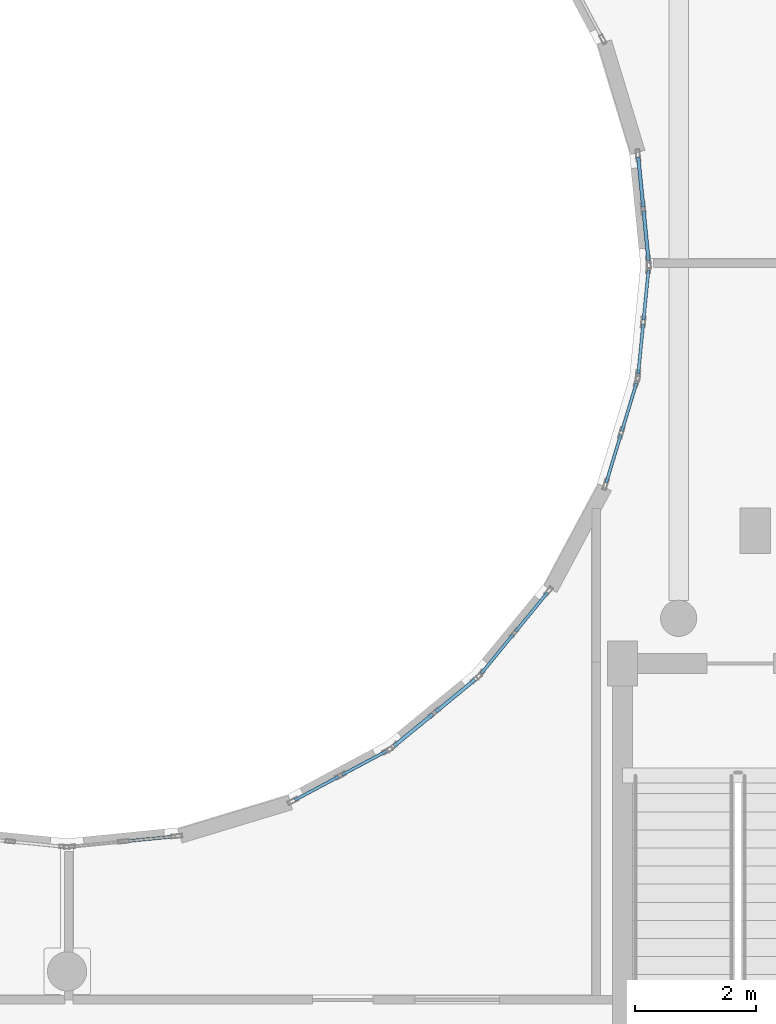
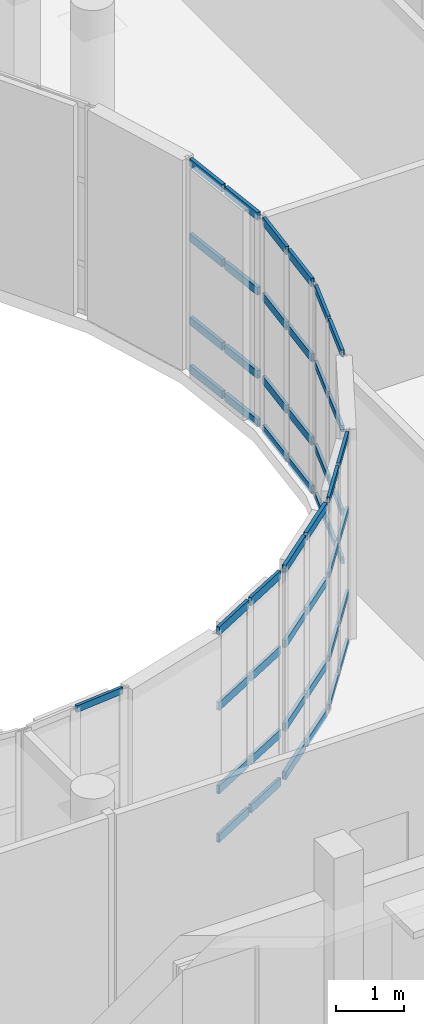
# One storey, part 57 of 105: 49 members, 7 elements without a shape of their own.
"""IFC4 building model written with IfcOpenShell, lengths in metres."""

from ifc_helpers import new_model, si_unit, direction, frame, origin, origin_2d, place, context, subcontext, project, spatial, hollow_rectangle, extrude, material, layer, layer_set, material_profile, profile_set, type_object, element, aggregate, save


model = new_model("IFC4")

# Units and contexts
model_context = context("Model", 3, precision=1e-05, world=origin(), true_north=direction((0.0, 1.0)))
body_context = subcontext(model_context, "Body", "Model", "MODEL_VIEW")
ifc_project = project(units=[si_unit("LENGTHUNIT", "METRE"), si_unit("AREAUNIT", "SQUARE_METRE"), si_unit("VOLUMEUNIT", "CUBIC_METRE"), si_unit("PLANEANGLEUNIT", "RADIAN"), si_unit("MASSUNIT", "GRAM", prefix="KILO")], contexts=[model_context])

# Site, building, storey
site_placement = place(None, origin())
site = spatial("IfcSite", under=ifc_project, at=site_placement, CompositionType="ELEMENT")
building_placement = place(site_placement, origin())
building = spatial("IfcBuilding", under=site, at=building_placement, Name="Kelanivale Promenade Academy", CompositionType="ELEMENT")
storey_placement = place(building_placement, frame((0.0, 0.0, 4.199951171875)))
storey = spatial("IfcBuildingStorey", under=building, at=storey_placement, Name="L01", CompositionType="ELEMENT", Elevation=4.199951171875)

# Curtain wall, members
ifc_material_1 = material(Name="Bronze anodised aluminium and solar-control low-E glass", Category="aluminium")
ifc_layer_1 = layer(ifc_material_1, 0.169921875)
ifc_layer_set_1 = layer_set([ifc_layer_1], Name="Bronze anodised aluminium and solar-control low-E glass")
curtain_wall_type_1 = type_object("IfcCurtainWallType", Name="CW-01 Curtain Wall 1350mm Module", PredefinedType="USERDEFINED", material=ifc_layer_set_1)
curtain_wall_1_placement = place(storey_placement, origin())
curtain_wall_1 = element("IfcCurtainWall", 1, at=curtain_wall_1_placement, inside=storey, type_object=curtain_wall_type_1, Name="L01 courtyard curtain wall CW-01", ObjectType="UNITISED GLAZING", PredefinedType="USERDEFINED")
ifc_material_2 = material(Name="Bronze anodised aluminium EN AW-6063 T6", Category="aluminium")
ifc_material_profile_1 = material_profile(ifc_material_2, hollow_rectangle(XDim=0.050048828125, YDim=0.10009765625, WallThickness=0.0029296875, at=origin_2d()), Name="ALU 50x100x3.0")
ifc_profile_set_1 = profile_set([ifc_material_profile_1], Name="Bronze anodised aluminium EN AW-6063 T6")
member_type_1 = type_object("IfcMemberType", Name="CWT-01 ALU 50x100x3.0", PredefinedType="USERDEFINED", material=ifc_profile_set_1)
member_1_placement = place(storey_placement, frame((105.6640625, 50.039306640625, 0.025146484375), z_axis=(0.633939444819, 0.77338268684, 0.0), x_axis=(-0.77338268684, 0.633939444819, 0.0)))
member_1 = element("IfcMember", 2, at=member_1_placement, type_object=member_type_1, Name="CW-01 transom 1.1", ObjectType="TRANSOM", PredefinedType="USERDEFINED", context=body_context, shape_type="SweptSolid", body=[
    extrude(hollow_rectangle(XDim=0.050048828125, YDim=0.10009765625, WallThickness=0.0029296875, at=origin_2d()), origin(), (0.0, 0.0, 1.0), 0.83349609375),
])
member_2_placement = place(storey_placement, frame((105.6640625, 50.039306640625, 0.900146484375), z_axis=(0.633939444819, 0.77338268684, 0.0), x_axis=(-0.77338268684, 0.633939444819, 0.0)))
member_2 = element("IfcMember", 3, at=member_2_placement, type_object=member_type_1, Name="CW-01 transom 1.2", ObjectType="TRANSOM", PredefinedType="USERDEFINED", context=body_context, shape_type="SweptSolid", body=[
    extrude(hollow_rectangle(XDim=0.050048828125, YDim=0.10009765625, WallThickness=0.0029296875, at=origin_2d()), origin(), (0.0, 0.0, 1.0), 0.83349609375),
])
member_3_placement = place(storey_placement, frame((105.6640625, 50.039306640625, 2.400146484375), z_axis=(0.633939444819, 0.77338268684, 0.0), x_axis=(-0.77338268684, 0.633939444819, 0.0)))
member_3 = element("IfcMember", 4, at=member_3_placement, type_object=member_type_1, Name="CW-01 transom 1.3", ObjectType="TRANSOM", PredefinedType="USERDEFINED", context=body_context, shape_type="SweptSolid", body=[
    extrude(hollow_rectangle(XDim=0.050048828125, YDim=0.10009765625, WallThickness=0.0029296875, at=origin_2d()), origin(), (0.0, 0.0, 1.0), 0.83349609375),
])
member_4_placement = place(storey_placement, frame((105.6640625, 50.039306640625, 3.755126953125), z_axis=(0.633939444819, 0.77338268684, 0.0), x_axis=(-0.77338268684, 0.633939444819, 0.0)))
member_4 = element("IfcMember", 5, at=member_4_placement, type_object=member_type_1, Name="CW-01 transom 1.4", ObjectType="TRANSOM", PredefinedType="USERDEFINED", context=body_context, shape_type="SweptSolid", body=[
    extrude(hollow_rectangle(XDim=0.050048828125, YDim=0.10009765625, WallThickness=0.0029296875, at=origin_2d()), origin(), (0.0, 0.0, 1.0), 0.83349609375),
])
member_5_placement = place(storey_placement, frame((106.23046875, 50.730224609375, 0.025146484375), z_axis=(0.634258248108, 0.773121254854, 0.0), x_axis=(-0.773121254854, 0.634258248108, 0.0)))
member_5 = element("IfcMember", 6, at=member_5_placement, type_object=member_type_1, Name="CW-01 transom 2.1", ObjectType="TRANSOM", PredefinedType="USERDEFINED", context=body_context, shape_type="SweptSolid", body=[
    extrude(hollow_rectangle(XDim=0.050048828125, YDim=0.10009765625, WallThickness=0.0029296875, at=origin_2d()), origin(), (0.0, 0.0, 1.0), 0.833251953125),
])
member_6_placement = place(storey_placement, frame((106.23046875, 50.730224609375, 0.900146484375), z_axis=(0.634258248108, 0.773121254854, 0.0), x_axis=(-0.773121254854, 0.634258248108, 0.0)))
member_6 = element("IfcMember", 7, at=member_6_placement, type_object=member_type_1, Name="CW-01 transom 2.2", ObjectType="TRANSOM", PredefinedType="USERDEFINED", context=body_context, shape_type="SweptSolid", body=[
    extrude(hollow_rectangle(XDim=0.050048828125, YDim=0.10009765625, WallThickness=0.0029296875, at=origin_2d()), origin(), (0.0, 0.0, 1.0), 0.833251953125),
])
member_7_placement = place(storey_placement, frame((106.23046875, 50.730224609375, 2.400146484375), z_axis=(0.634258248108, 0.773121254854, 0.0), x_axis=(-0.773121254854, 0.634258248108, 0.0)))
member_7 = element("IfcMember", 8, at=member_7_placement, type_object=member_type_1, Name="CW-01 transom 2.3", ObjectType="TRANSOM", PredefinedType="USERDEFINED", context=body_context, shape_type="SweptSolid", body=[
    extrude(hollow_rectangle(XDim=0.050048828125, YDim=0.10009765625, WallThickness=0.0029296875, at=origin_2d()), origin(), (0.0, 0.0, 1.0), 0.833251953125),
])
member_8_placement = place(storey_placement, frame((106.23046875, 50.730224609375, 3.755126953125), z_axis=(0.634258248108, 0.773121254854, 0.0), x_axis=(-0.773121254854, 0.634258248108, 0.0)))
member_8 = element("IfcMember", 9, at=member_8_placement, type_object=member_type_1, Name="CW-01 transom 2.4", ObjectType="TRANSOM", PredefinedType="USERDEFINED", context=body_context, shape_type="SweptSolid", body=[
    extrude(hollow_rectangle(XDim=0.050048828125, YDim=0.10009765625, WallThickness=0.0029296875, at=origin_2d()), origin(), (0.0, 0.0, 1.0), 0.833251953125),
])
aggregate(curtain_wall_1, [member_1, member_2, member_3, member_4, member_5, member_6, member_7, member_8])

# Curtain wall, member
ifc_layer_2 = layer(ifc_material_1, 0.169921875)
ifc_layer_set_2 = layer_set([ifc_layer_2], Name="Bronze anodised aluminium and solar-control low-E glass")
curtain_wall_type_2 = type_object("IfcCurtainWallType", Name="CW-22 Curtain Wall 1800mm Module", PredefinedType="USERDEFINED", material=ifc_layer_set_2)
curtain_wall_2_placement = place(storey_placement, origin())
curtain_wall_2 = element("IfcCurtainWall", 10, at=curtain_wall_2_placement, inside=storey, type_object=curtain_wall_type_2, Name="L01 courtyard curtain wall CW-22", ObjectType="COURTYARD SCREEN GLAZING", PredefinedType="USERDEFINED")
ifc_material_profile_2 = material_profile(ifc_material_2, hollow_rectangle(XDim=0.050048828125, YDim=0.1201171875, WallThickness=0.0029296875, at=origin_2d()), Name="ALU 50x120x3.0")
ifc_profile_set_2 = profile_set([ifc_material_profile_2], Name="Bronze anodised aluminium EN AW-6063 T6")
member_type_2 = type_object("IfcMemberType", Name="CWT-02 ALU 50x120x3.0", PredefinedType="USERDEFINED", material=ifc_profile_set_2)
member_9_placement = place(storey_placement, frame((99.762939453125, 47.2548828125, 3.755126953125), z_axis=(0.99511519259, 0.098720582839, 0.0), x_axis=(-0.098720582839, 0.99511519259, 0.0)))
member_9 = element("IfcMember", 11, at=member_9_placement, type_object=member_type_2, Name="CW-22 transom 2.4", ObjectType="TRANSOM", PredefinedType="USERDEFINED", context=body_context, shape_type="SweptSolid", body=[
    extrude(hollow_rectangle(XDim=0.050048828125, YDim=0.1201171875, WallThickness=0.0029296875, at=origin_2d()), origin(), (0.0, 0.0, 1.0), 0.83349609375),
])
aggregate(curtain_wall_2, [member_9])

# Curtain wall, members
ifc_layer_3 = layer(ifc_material_1, 0.179931640625)
ifc_layer_set_3 = layer_set([ifc_layer_3], Name="Bronze anodised aluminium and solar-control low-E glass")
curtain_wall_type_3 = type_object("IfcCurtainWallType", Name="CW-02 Curtain Wall 1500mm Module", PredefinedType="USERDEFINED", material=ifc_layer_set_3)
curtain_wall_3_placement = place(storey_placement, origin())
curtain_wall_3 = element("IfcCurtainWall", 12, at=curtain_wall_3_placement, inside=storey, type_object=curtain_wall_type_3, Name="L01 courtyard curtain wall CW-02", ObjectType="UNITISED GLAZING", PredefinedType="USERDEFINED")
member_10_placement = place(storey_placement, frame((107.732421875, 53.1953125, 0.025146484375), z_axis=(0.290113019071, 0.956992390861, 0.0), x_axis=(-0.956992390861, 0.290113019071, 0.0)))
member_10 = element("IfcMember", 13, at=member_10_placement, type_object=member_type_2, Name="CW-02 transom 1.1", ObjectType="TRANSOM", PredefinedType="USERDEFINED", context=body_context, shape_type="SweptSolid", body=[
    extrude(hollow_rectangle(XDim=0.050048828125, YDim=0.1201171875, WallThickness=0.0029296875, at=origin_2d()), origin(), (0.0, 0.0, 1.0), 0.833984375),
])
member_11_placement = place(storey_placement, frame((107.732421875, 53.1953125, 0.900146484375), z_axis=(0.290113019071, 0.956992390861, 0.0), x_axis=(-0.956992390861, 0.290113019071, 0.0)))
member_11 = element("IfcMember", 14, at=member_11_placement, type_object=member_type_2, Name="CW-02 transom 1.2", ObjectType="TRANSOM", PredefinedType="USERDEFINED", context=body_context, shape_type="SweptSolid", body=[
    extrude(hollow_rectangle(XDim=0.050048828125, YDim=0.1201171875, WallThickness=0.0029296875, at=origin_2d()), origin(), (0.0, 0.0, 1.0), 0.833984375),
])
member_12_placement = place(storey_placement, frame((107.732421875, 53.1953125, 2.400146484375), z_axis=(0.290113019071, 0.956992390861, 0.0), x_axis=(-0.956992390861, 0.290113019071, 0.0)))
member_12 = element("IfcMember", 15, at=member_12_placement, type_object=member_type_2, Name="CW-02 transom 1.3", ObjectType="TRANSOM", PredefinedType="USERDEFINED", context=body_context, shape_type="SweptSolid", body=[
    extrude(hollow_rectangle(XDim=0.050048828125, YDim=0.1201171875, WallThickness=0.0029296875, at=origin_2d()), origin(), (0.0, 0.0, 1.0), 0.833984375),
])
member_13_placement = place(storey_placement, frame((107.732421875, 53.1953125, 3.755126953125), z_axis=(0.290113019071, 0.956992390861, 0.0), x_axis=(-0.956992390861, 0.290113019071, 0.0)))
member_13 = element("IfcMember", 16, at=member_13_placement, type_object=member_type_2, Name="CW-02 transom 1.4", ObjectType="TRANSOM", PredefinedType="USERDEFINED", context=body_context, shape_type="SweptSolid", body=[
    extrude(hollow_rectangle(XDim=0.050048828125, YDim=0.1201171875, WallThickness=0.0029296875, at=origin_2d()), origin(), (0.0, 0.0, 1.0), 0.833984375),
])
member_14_placement = place(storey_placement, frame((107.99169921875, 54.05078125, 0.025146484375), z_axis=(0.2901943181, 0.956967741223, 0.0), x_axis=(-0.956967741223, 0.2901943181, 0.0)))
member_14 = element("IfcMember", 17, at=member_14_placement, type_object=member_type_2, Name="CW-02 transom 2.1", ObjectType="TRANSOM", PredefinedType="USERDEFINED", context=body_context, shape_type="SweptSolid", body=[
    extrude(hollow_rectangle(XDim=0.050048828125, YDim=0.1201171875, WallThickness=0.0029296875, at=origin_2d()), origin(), (0.0, 0.0, 1.0), 0.833740234375),
])
member_15_placement = place(storey_placement, frame((107.99169921875, 54.05078125, 0.900146484375), z_axis=(0.2901943181, 0.956967741223, 0.0), x_axis=(-0.956967741223, 0.2901943181, 0.0)))
member_15 = element("IfcMember", 18, at=member_15_placement, type_object=member_type_2, Name="CW-02 transom 2.2", ObjectType="TRANSOM", PredefinedType="USERDEFINED", context=body_context, shape_type="SweptSolid", body=[
    extrude(hollow_rectangle(XDim=0.050048828125, YDim=0.1201171875, WallThickness=0.0029296875, at=origin_2d()), origin(), (0.0, 0.0, 1.0), 0.833740234375),
])
member_16_placement = place(storey_placement, frame((107.99169921875, 54.05078125, 2.400146484375), z_axis=(0.2901943181, 0.956967741223, 0.0), x_axis=(-0.956967741223, 0.2901943181, 0.0)))
member_16 = element("IfcMember", 19, at=member_16_placement, type_object=member_type_2, Name="CW-02 transom 2.3", ObjectType="TRANSOM", PredefinedType="USERDEFINED", context=body_context, shape_type="SweptSolid", body=[
    extrude(hollow_rectangle(XDim=0.050048828125, YDim=0.1201171875, WallThickness=0.0029296875, at=origin_2d()), origin(), (0.0, 0.0, 1.0), 0.833740234375),
])
member_17_placement = place(storey_placement, frame((107.99169921875, 54.05078125, 3.755126953125), z_axis=(0.2901943181, 0.956967741223, 0.0), x_axis=(-0.956967741223, 0.2901943181, 0.0)))
member_17 = element("IfcMember", 20, at=member_17_placement, type_object=member_type_2, Name="CW-02 transom 2.4", ObjectType="TRANSOM", PredefinedType="USERDEFINED", context=body_context, shape_type="SweptSolid", body=[
    extrude(hollow_rectangle(XDim=0.050048828125, YDim=0.1201171875, WallThickness=0.0029296875, at=origin_2d()), origin(), (0.0, 0.0, 1.0), 0.833740234375),
])
aggregate(curtain_wall_3, [member_10, member_11, member_12, member_13, member_14, member_15, member_16, member_17])

ifc_layer_4 = layer(ifc_material_1, 0.179931640625)
ifc_layer_set_4 = layer_set([ifc_layer_4], Name="Bronze anodised aluminium and solar-control low-E glass")
curtain_wall_type_4 = type_object("IfcCurtainWallType", Name="CW-23 Curtain Wall 1950mm Module", PredefinedType="USERDEFINED", material=ifc_layer_set_4)
curtain_wall_4_placement = place(storey_placement, origin())
curtain_wall_4 = element("IfcCurtainWall", 21, at=curtain_wall_4_placement, inside=storey, type_object=curtain_wall_type_4, Name="L01 courtyard curtain wall CW-23", ObjectType="COURTYARD SCREEN GLAZING", PredefinedType="USERDEFINED")
ifc_material_profile_3 = material_profile(ifc_material_2, hollow_rectangle(XDim=0.050048828125, YDim=0.14990234375, WallThickness=0.00341796875, at=origin_2d()), Name="ALU 50x150x3.5")
ifc_profile_set_3 = profile_set([ifc_material_profile_3], Name="Bronze anodised aluminium EN AW-6063 T6")
member_type_3 = type_object("IfcMemberType", Name="CWT-03 ALU 50x150x3.5", PredefinedType="USERDEFINED", material=ifc_profile_set_3)
member_18_placement = place(storey_placement, frame((102.5712890625, 47.937744140625, 0.025146484375), z_axis=(0.882050208669, 0.471155419567, 0.0), x_axis=(-0.471155419567, 0.882050208669, 0.0)))
member_18 = element("IfcMember", 22, at=member_18_placement, type_object=member_type_3, Name="CW-23 transom 1.1", ObjectType="TRANSOM", PredefinedType="USERDEFINED", context=body_context, shape_type="SweptSolid", body=[
    extrude(hollow_rectangle(XDim=0.050048828125, YDim=0.14990234375, WallThickness=0.00341796875, at=origin_2d()), origin(), (0.0, 0.0, 1.0), 0.826416015625),
])
member_19_placement = place(storey_placement, frame((102.5712890625, 47.937744140625, 0.900146484375), z_axis=(0.882050208669, 0.471155419567, 0.0), x_axis=(-0.471155419567, 0.882050208669, 0.0)))
member_19 = element("IfcMember", 23, at=member_19_placement, type_object=member_type_3, Name="CW-23 transom 1.2", ObjectType="TRANSOM", PredefinedType="USERDEFINED", context=body_context, shape_type="SweptSolid", body=[
    extrude(hollow_rectangle(XDim=0.050048828125, YDim=0.14990234375, WallThickness=0.00341796875, at=origin_2d()), origin(), (0.0, 0.0, 1.0), 0.826416015625),
])
member_20_placement = place(storey_placement, frame((102.5712890625, 47.937744140625, 2.400146484375), z_axis=(0.882050208669, 0.471155419567, 0.0), x_axis=(-0.471155419567, 0.882050208669, 0.0)))
member_20 = element("IfcMember", 24, at=member_20_placement, type_object=member_type_3, Name="CW-23 transom 1.3", ObjectType="TRANSOM", PredefinedType="USERDEFINED", context=body_context, shape_type="SweptSolid", body=[
    extrude(hollow_rectangle(XDim=0.050048828125, YDim=0.14990234375, WallThickness=0.00341796875, at=origin_2d()), origin(), (0.0, 0.0, 1.0), 0.826416015625),
])
member_21_placement = place(storey_placement, frame((102.5712890625, 47.937744140625, 3.755126953125), z_axis=(0.882050208669, 0.471155419567, 0.0), x_axis=(-0.471155419567, 0.882050208669, 0.0)))
member_21 = element("IfcMember", 25, at=member_21_placement, type_object=member_type_3, Name="CW-23 transom 1.4", ObjectType="TRANSOM", PredefinedType="USERDEFINED", context=body_context, shape_type="SweptSolid", body=[
    extrude(hollow_rectangle(XDim=0.050048828125, YDim=0.14990234375, WallThickness=0.00341796875, at=origin_2d()), origin(), (0.0, 0.0, 1.0), 0.826416015625),
])
member_22_placement = place(storey_placement, frame((103.357666015625, 48.35791015625, 0.025146484375), z_axis=(0.882050208669, 0.471155419567, 0.0), x_axis=(-0.471155419567, 0.882050208669, 0.0)))
member_22 = element("IfcMember", 26, at=member_22_placement, type_object=member_type_3, Name="CW-23 transom 2.1", ObjectType="TRANSOM", PredefinedType="USERDEFINED", context=body_context, shape_type="SweptSolid", body=[
    extrude(hollow_rectangle(XDim=0.050048828125, YDim=0.14990234375, WallThickness=0.00341796875, at=origin_2d()), origin(), (0.0, 0.0, 1.0), 0.826416015625),
])
member_23_placement = place(storey_placement, frame((103.357666015625, 48.35791015625, 0.900146484375), z_axis=(0.882050208669, 0.471155419567, 0.0), x_axis=(-0.471155419567, 0.882050208669, 0.0)))
member_23 = element("IfcMember", 27, at=member_23_placement, type_object=member_type_3, Name="CW-23 transom 2.2", ObjectType="TRANSOM", PredefinedType="USERDEFINED", context=body_context, shape_type="SweptSolid", body=[
    extrude(hollow_rectangle(XDim=0.050048828125, YDim=0.14990234375, WallThickness=0.00341796875, at=origin_2d()), origin(), (0.0, 0.0, 1.0), 0.826416015625),
])
member_24_placement = place(storey_placement, frame((103.357666015625, 48.35791015625, 2.400146484375), z_axis=(0.882050208669, 0.471155419567, 0.0), x_axis=(-0.471155419567, 0.882050208669, 0.0)))
member_24 = element("IfcMember", 28, at=member_24_placement, type_object=member_type_3, Name="CW-23 transom 2.3", ObjectType="TRANSOM", PredefinedType="USERDEFINED", context=body_context, shape_type="SweptSolid", body=[
    extrude(hollow_rectangle(XDim=0.050048828125, YDim=0.14990234375, WallThickness=0.00341796875, at=origin_2d()), origin(), (0.0, 0.0, 1.0), 0.826416015625),
])
member_25_placement = place(storey_placement, frame((103.357666015625, 48.35791015625, 3.755126953125), z_axis=(0.882050208669, 0.471155419567, 0.0), x_axis=(-0.471155419567, 0.882050208669, 0.0)))
member_25 = element("IfcMember", 29, at=member_25_placement, type_object=member_type_3, Name="CW-23 transom 2.4", ObjectType="TRANSOM", PredefinedType="USERDEFINED", context=body_context, shape_type="SweptSolid", body=[
    extrude(hollow_rectangle(XDim=0.050048828125, YDim=0.14990234375, WallThickness=0.00341796875, at=origin_2d()), origin(), (0.0, 0.0, 1.0), 0.826416015625),
])
aggregate(curtain_wall_4, [member_18, member_19, member_20, member_21, member_22, member_23, member_24, member_25])

ifc_layer_5 = layer(ifc_material_1, 0.159912109375)
ifc_layer_set_5 = layer_set([ifc_layer_5], Name="Bronze anodised aluminium and solar-control low-E glass")
curtain_wall_type_5 = type_object("IfcCurtainWallType", Name="CW-03 Curtain Wall 1650mm Module", PredefinedType="USERDEFINED", material=ifc_layer_set_5)
curtain_wall_5_placement = place(storey_placement, origin())
curtain_wall_5 = element("IfcCurtainWall", 30, at=curtain_wall_5_placement, inside=storey, type_object=curtain_wall_type_5, Name="L01 courtyard curtain wall CW-03", ObjectType="UNITISED GLAZING", PredefinedType="USERDEFINED")
member_26_placement = place(storey_placement, frame((108.262451171875, 54.997802734375, 0.025146484375), z_axis=(0.0981403636, 0.995172582537, 0.0), x_axis=(-0.995172582537, 0.0981403636, 0.0)))
member_26 = element("IfcMember", 31, at=member_26_placement, type_object=member_type_3, Name="CW-03 transom 1.1", ObjectType="TRANSOM", PredefinedType="USERDEFINED", context=body_context, shape_type="SweptSolid", body=[
    extrude(hollow_rectangle(XDim=0.050048828125, YDim=0.14990234375, WallThickness=0.00341796875, at=origin_2d()), origin(), (0.0, 0.0, 1.0), 0.833251953125),
])
member_27_placement = place(storey_placement, frame((108.262451171875, 54.997802734375, 0.900146484375), z_axis=(0.0981403636, 0.995172582537, 0.0), x_axis=(-0.995172582537, 0.0981403636, 0.0)))
member_27 = element("IfcMember", 32, at=member_27_placement, type_object=member_type_3, Name="CW-03 transom 1.2", ObjectType="TRANSOM", PredefinedType="USERDEFINED", context=body_context, shape_type="SweptSolid", body=[
    extrude(hollow_rectangle(XDim=0.050048828125, YDim=0.14990234375, WallThickness=0.00341796875, at=origin_2d()), origin(), (0.0, 0.0, 1.0), 0.833251953125),
])
member_28_placement = place(storey_placement, frame((108.262451171875, 54.997802734375, 2.400146484375), z_axis=(0.0981403636, 0.995172582537, 0.0), x_axis=(-0.995172582537, 0.0981403636, 0.0)))
member_28 = element("IfcMember", 33, at=member_28_placement, type_object=member_type_3, Name="CW-03 transom 1.3", ObjectType="TRANSOM", PredefinedType="USERDEFINED", context=body_context, shape_type="SweptSolid", body=[
    extrude(hollow_rectangle(XDim=0.050048828125, YDim=0.14990234375, WallThickness=0.00341796875, at=origin_2d()), origin(), (0.0, 0.0, 1.0), 0.833251953125),
])
member_29_placement = place(storey_placement, frame((108.262451171875, 54.997802734375, 3.755126953125), z_axis=(0.0981403636, 0.995172582537, 0.0), x_axis=(-0.995172582537, 0.0981403636, 0.0)))
member_29 = element("IfcMember", 34, at=member_29_placement, type_object=member_type_3, Name="CW-03 transom 1.4", ObjectType="TRANSOM", PredefinedType="USERDEFINED", context=body_context, shape_type="SweptSolid", body=[
    extrude(hollow_rectangle(XDim=0.050048828125, YDim=0.14990234375, WallThickness=0.00341796875, at=origin_2d()), origin(), (0.0, 0.0, 1.0), 0.833251953125),
])
member_30_placement = place(storey_placement, frame((108.3505859375, 55.891845703125, 0.025146484375), z_axis=(0.098401799113, 0.995146766026, 0.0), x_axis=(-0.995146766026, 0.098401799113, 0.0)))
member_30 = element("IfcMember", 35, at=member_30_placement, type_object=member_type_3, Name="CW-03 transom 2.1", ObjectType="TRANSOM", PredefinedType="USERDEFINED", context=body_context, shape_type="SweptSolid", body=[
    extrude(hollow_rectangle(XDim=0.050048828125, YDim=0.14990234375, WallThickness=0.00341796875, at=origin_2d()), origin(), (0.0, 0.0, 1.0), 0.833740234375),
])
member_31_placement = place(storey_placement, frame((108.3505859375, 55.891845703125, 0.900146484375), z_axis=(0.098401799113, 0.995146766026, 0.0), x_axis=(-0.995146766026, 0.098401799113, 0.0)))
member_31 = element("IfcMember", 36, at=member_31_placement, type_object=member_type_3, Name="CW-03 transom 2.2", ObjectType="TRANSOM", PredefinedType="USERDEFINED", context=body_context, shape_type="SweptSolid", body=[
    extrude(hollow_rectangle(XDim=0.050048828125, YDim=0.14990234375, WallThickness=0.00341796875, at=origin_2d()), origin(), (0.0, 0.0, 1.0), 0.833740234375),
])
member_32_placement = place(storey_placement, frame((108.3505859375, 55.891845703125, 2.400146484375), z_axis=(0.098401799113, 0.995146766026, 0.0), x_axis=(-0.995146766026, 0.098401799113, 0.0)))
member_32 = element("IfcMember", 37, at=member_32_placement, type_object=member_type_3, Name="CW-03 transom 2.3", ObjectType="TRANSOM", PredefinedType="USERDEFINED", context=body_context, shape_type="SweptSolid", body=[
    extrude(hollow_rectangle(XDim=0.050048828125, YDim=0.14990234375, WallThickness=0.00341796875, at=origin_2d()), origin(), (0.0, 0.0, 1.0), 0.833740234375),
])
member_33_placement = place(storey_placement, frame((108.3505859375, 55.891845703125, 3.755126953125), z_axis=(0.098401799113, 0.995146766026, 0.0), x_axis=(-0.995146766026, 0.098401799113, 0.0)))
member_33 = element("IfcMember", 38, at=member_33_placement, type_object=member_type_3, Name="CW-03 transom 2.4", ObjectType="TRANSOM", PredefinedType="USERDEFINED", context=body_context, shape_type="SweptSolid", body=[
    extrude(hollow_rectangle(XDim=0.050048828125, YDim=0.14990234375, WallThickness=0.00341796875, at=origin_2d()), origin(), (0.0, 0.0, 1.0), 0.833740234375),
])
aggregate(curtain_wall_5, [member_26, member_27, member_28, member_29, member_30, member_31, member_32, member_33])

ifc_layer_6 = layer(ifc_material_1, 0.159912109375)
ifc_layer_set_6 = layer_set([ifc_layer_6], Name="Bronze anodised aluminium and solar-control low-E glass")
curtain_wall_type_6 = type_object("IfcCurtainWallType", Name="CW-24 Curtain Wall 1200mm Module", PredefinedType="USERDEFINED", material=ifc_layer_set_6)
curtain_wall_6_placement = place(storey_placement, origin())
curtain_wall_6 = element("IfcCurtainWall", 39, at=curtain_wall_6_placement, inside=storey, type_object=curtain_wall_type_6, Name="L01 courtyard curtain wall CW-24", ObjectType="COURTYARD SCREEN GLAZING", PredefinedType="USERDEFINED")
ifc_material_profile_4 = material_profile(ifc_material_2, hollow_rectangle(XDim=0.06005859375, YDim=0.139892578125, WallThickness=0.00341796875, at=origin_2d()), Name="ALU 60x140x3.5")
ifc_profile_set_4 = profile_set([ifc_material_profile_4], Name="Bronze anodised aluminium EN AW-6063 T6")
member_type_4 = type_object("IfcMemberType", Name="CWT-04 ALU 60x140x3.5", PredefinedType="USERDEFINED", material=ifc_profile_set_4)
member_34_placement = place(storey_placement, frame((104.21728515625, 48.834228515625, 0.030029296875), z_axis=(0.773239067778, 0.634114614295, 0.0), x_axis=(-0.634114614295, 0.773239067778, 0.0)))
member_34 = element("IfcMember", 40, at=member_34_placement, type_object=member_type_4, Name="CW-24 transom 1.1", ObjectType="TRANSOM", PredefinedType="USERDEFINED", context=body_context, shape_type="SweptSolid", body=[
    extrude(hollow_rectangle(XDim=0.06005859375, YDim=0.139892578125, WallThickness=0.00341796875, at=origin_2d()), origin(), (0.0, 0.0, 1.0), 0.83349609375),
])
member_35_placement = place(storey_placement, frame((104.21728515625, 48.834228515625, 0.900146484375), z_axis=(0.773239067778, 0.634114614295, 0.0), x_axis=(-0.634114614295, 0.773239067778, 0.0)))
member_35 = element("IfcMember", 41, at=member_35_placement, type_object=member_type_4, Name="CW-24 transom 1.2", ObjectType="TRANSOM", PredefinedType="USERDEFINED", context=body_context, shape_type="SweptSolid", body=[
    extrude(hollow_rectangle(XDim=0.06005859375, YDim=0.139892578125, WallThickness=0.00341796875, at=origin_2d()), origin(), (0.0, 0.0, 1.0), 0.83349609375),
])
member_36_placement = place(storey_placement, frame((104.21728515625, 48.834228515625, 2.400146484375), z_axis=(0.773239067778, 0.634114614295, 0.0), x_axis=(-0.634114614295, 0.773239067778, 0.0)))
member_36 = element("IfcMember", 42, at=member_36_placement, type_object=member_type_4, Name="CW-24 transom 1.3", ObjectType="TRANSOM", PredefinedType="USERDEFINED", context=body_context, shape_type="SweptSolid", body=[
    extrude(hollow_rectangle(XDim=0.06005859375, YDim=0.139892578125, WallThickness=0.00341796875, at=origin_2d()), origin(), (0.0, 0.0, 1.0), 0.83349609375),
])
member_37_placement = place(storey_placement, frame((104.21728515625, 48.834228515625, 3.75), z_axis=(0.773239067778, 0.634114614295, 0.0), x_axis=(-0.634114614295, 0.773239067778, 0.0)))
member_37 = element("IfcMember", 43, at=member_37_placement, type_object=member_type_4, Name="CW-24 transom 1.4", ObjectType="TRANSOM", PredefinedType="USERDEFINED", context=body_context, shape_type="SweptSolid", body=[
    extrude(hollow_rectangle(XDim=0.06005859375, YDim=0.139892578125, WallThickness=0.00341796875, at=origin_2d()), origin(), (0.0, 0.0, 1.0), 0.83349609375),
])
member_38_placement = place(storey_placement, frame((104.912109375, 49.404052734375, 0.030029296875), z_axis=(0.773095462401, 0.634289686197, 0.0), x_axis=(-0.634289686197, 0.773095462401, 0.0)))
member_38 = element("IfcMember", 44, at=member_38_placement, type_object=member_type_4, Name="CW-24 transom 2.1", ObjectType="TRANSOM", PredefinedType="USERDEFINED", context=body_context, shape_type="SweptSolid", body=[
    extrude(hollow_rectangle(XDim=0.06005859375, YDim=0.139892578125, WallThickness=0.00341796875, at=origin_2d()), origin(), (0.0, 0.0, 1.0), 0.833740234375),
])
member_39_placement = place(storey_placement, frame((104.912109375, 49.404052734375, 0.900146484375), z_axis=(0.773095462401, 0.634289686197, 0.0), x_axis=(-0.634289686197, 0.773095462401, 0.0)))
member_39 = element("IfcMember", 45, at=member_39_placement, type_object=member_type_4, Name="CW-24 transom 2.2", ObjectType="TRANSOM", PredefinedType="USERDEFINED", context=body_context, shape_type="SweptSolid", body=[
    extrude(hollow_rectangle(XDim=0.06005859375, YDim=0.139892578125, WallThickness=0.00341796875, at=origin_2d()), origin(), (0.0, 0.0, 1.0), 0.833740234375),
])
member_40_placement = place(storey_placement, frame((104.912109375, 49.404052734375, 2.400146484375), z_axis=(0.773095462401, 0.634289686197, 0.0), x_axis=(-0.634289686197, 0.773095462401, 0.0)))
member_40 = element("IfcMember", 46, at=member_40_placement, type_object=member_type_4, Name="CW-24 transom 2.3", ObjectType="TRANSOM", PredefinedType="USERDEFINED", context=body_context, shape_type="SweptSolid", body=[
    extrude(hollow_rectangle(XDim=0.06005859375, YDim=0.139892578125, WallThickness=0.00341796875, at=origin_2d()), origin(), (0.0, 0.0, 1.0), 0.833740234375),
])
member_41_placement = place(storey_placement, frame((104.912109375, 49.404052734375, 3.75), z_axis=(0.773095462401, 0.634289686197, 0.0), x_axis=(-0.634289686197, 0.773095462401, 0.0)))
member_41 = element("IfcMember", 47, at=member_41_placement, type_object=member_type_4, Name="CW-24 transom 2.4", ObjectType="TRANSOM", PredefinedType="USERDEFINED", context=body_context, shape_type="SweptSolid", body=[
    extrude(hollow_rectangle(XDim=0.06005859375, YDim=0.139892578125, WallThickness=0.00341796875, at=origin_2d()), origin(), (0.0, 0.0, 1.0), 0.833740234375),
])
aggregate(curtain_wall_6, [member_34, member_35, member_36, member_37, member_38, member_39, member_40, member_41])

ifc_layer_7 = layer(ifc_material_1, 0.169921875)
ifc_layer_set_7 = layer_set([ifc_layer_7], Name="Bronze anodised aluminium and solar-control low-E glass")
curtain_wall_type_7 = type_object("IfcCurtainWallType", Name="CW-04 Curtain Wall 1800mm Module", PredefinedType="USERDEFINED", material=ifc_layer_set_7)
curtain_wall_7_placement = place(storey_placement, origin())
curtain_wall_7 = element("IfcCurtainWall", 48, at=curtain_wall_7_placement, inside=storey, type_object=curtain_wall_type_7, Name="L01 courtyard curtain wall CW-04", ObjectType="UNITISED GLAZING", PredefinedType="USERDEFINED")
member_42_placement = place(storey_placement, frame((108.4326171875, 56.878662109375, 0.030029296875), z_axis=(-0.0984209217, 0.995144874966, 0.0), x_axis=(-0.995144874966, -0.0984209217, 0.0)))
member_42 = element("IfcMember", 49, at=member_42_placement, type_object=member_type_4, Name="CW-04 transom 1.1", ObjectType="TRANSOM", PredefinedType="USERDEFINED", context=body_context, shape_type="SweptSolid", body=[
    extrude(hollow_rectangle(XDim=0.06005859375, YDim=0.139892578125, WallThickness=0.00341796875, at=origin_2d()), origin(), (0.0, 0.0, 1.0), 0.825927734375),
])
member_43_placement = place(storey_placement, frame((108.4326171875, 56.878662109375, 0.900146484375), z_axis=(-0.0984209217, 0.995144874966, 0.0), x_axis=(-0.995144874966, -0.0984209217, 0.0)))
member_43 = element("IfcMember", 50, at=member_43_placement, type_object=member_type_4, Name="CW-04 transom 1.2", ObjectType="TRANSOM", PredefinedType="USERDEFINED", context=body_context, shape_type="SweptSolid", body=[
    extrude(hollow_rectangle(XDim=0.06005859375, YDim=0.139892578125, WallThickness=0.00341796875, at=origin_2d()), origin(), (0.0, 0.0, 1.0), 0.825927734375),
])
member_44_placement = place(storey_placement, frame((108.4326171875, 56.878662109375, 2.400146484375), z_axis=(-0.0984209217, 0.995144874966, 0.0), x_axis=(-0.995144874966, -0.0984209217, 0.0)))
member_44 = element("IfcMember", 51, at=member_44_placement, type_object=member_type_4, Name="CW-04 transom 1.3", ObjectType="TRANSOM", PredefinedType="USERDEFINED", context=body_context, shape_type="SweptSolid", body=[
    extrude(hollow_rectangle(XDim=0.06005859375, YDim=0.139892578125, WallThickness=0.00341796875, at=origin_2d()), origin(), (0.0, 0.0, 1.0), 0.825927734375),
])
member_45_placement = place(storey_placement, frame((108.4326171875, 56.878662109375, 3.75), z_axis=(-0.0984209217, 0.995144874966, 0.0), x_axis=(-0.995144874966, -0.0984209217, 0.0)))
member_45 = element("IfcMember", 52, at=member_45_placement, type_object=member_type_4, Name="CW-04 transom 1.4", ObjectType="TRANSOM", PredefinedType="USERDEFINED", context=body_context, shape_type="SweptSolid", body=[
    extrude(hollow_rectangle(XDim=0.06005859375, YDim=0.139892578125, WallThickness=0.00341796875, at=origin_2d()), origin(), (0.0, 0.0, 1.0), 0.825927734375),
])
member_46_placement = place(storey_placement, frame((108.3447265625, 57.765380859375, 0.030029296875), z_axis=(-0.0984209217, 0.995144874966, 0.0), x_axis=(-0.995144874966, -0.0984209217, 0.0)))
member_46 = element("IfcMember", 53, at=member_46_placement, type_object=member_type_4, Name="CW-04 transom 2.1", ObjectType="TRANSOM", PredefinedType="USERDEFINED", context=body_context, shape_type="SweptSolid", body=[
    extrude(hollow_rectangle(XDim=0.06005859375, YDim=0.139892578125, WallThickness=0.00341796875, at=origin_2d()), origin(), (0.0, 0.0, 1.0), 0.825927734375),
])
member_47_placement = place(storey_placement, frame((108.3447265625, 57.765380859375, 0.900146484375), z_axis=(-0.0984209217, 0.995144874966, 0.0), x_axis=(-0.995144874966, -0.0984209217, 0.0)))
member_47 = element("IfcMember", 54, at=member_47_placement, type_object=member_type_4, Name="CW-04 transom 2.2", ObjectType="TRANSOM", PredefinedType="USERDEFINED", context=body_context, shape_type="SweptSolid", body=[
    extrude(hollow_rectangle(XDim=0.06005859375, YDim=0.139892578125, WallThickness=0.00341796875, at=origin_2d()), origin(), (0.0, 0.0, 1.0), 0.825927734375),
])
member_48_placement = place(storey_placement, frame((108.3447265625, 57.765380859375, 2.400146484375), z_axis=(-0.0984209217, 0.995144874966, 0.0), x_axis=(-0.995144874966, -0.0984209217, 0.0)))
member_48 = element("IfcMember", 55, at=member_48_placement, type_object=member_type_4, Name="CW-04 transom 2.3", ObjectType="TRANSOM", PredefinedType="USERDEFINED", context=body_context, shape_type="SweptSolid", body=[
    extrude(hollow_rectangle(XDim=0.06005859375, YDim=0.139892578125, WallThickness=0.00341796875, at=origin_2d()), origin(), (0.0, 0.0, 1.0), 0.825927734375),
])
member_49_placement = place(storey_placement, frame((108.3447265625, 57.765380859375, 3.75), z_axis=(-0.0984209217, 0.995144874966, 0.0), x_axis=(-0.995144874966, -0.0984209217, 0.0)))
member_49 = element("IfcMember", 56, at=member_49_placement, type_object=member_type_4, Name="CW-04 transom 2.4", ObjectType="TRANSOM", PredefinedType="USERDEFINED", context=body_context, shape_type="SweptSolid", body=[
    extrude(hollow_rectangle(XDim=0.06005859375, YDim=0.139892578125, WallThickness=0.00341796875, at=origin_2d()), origin(), (0.0, 0.0, 1.0), 0.825927734375),
])
aggregate(curtain_wall_7, [member_42, member_43, member_44, member_45, member_46, member_47, member_48, member_49])

save(model, "model.ifc")
